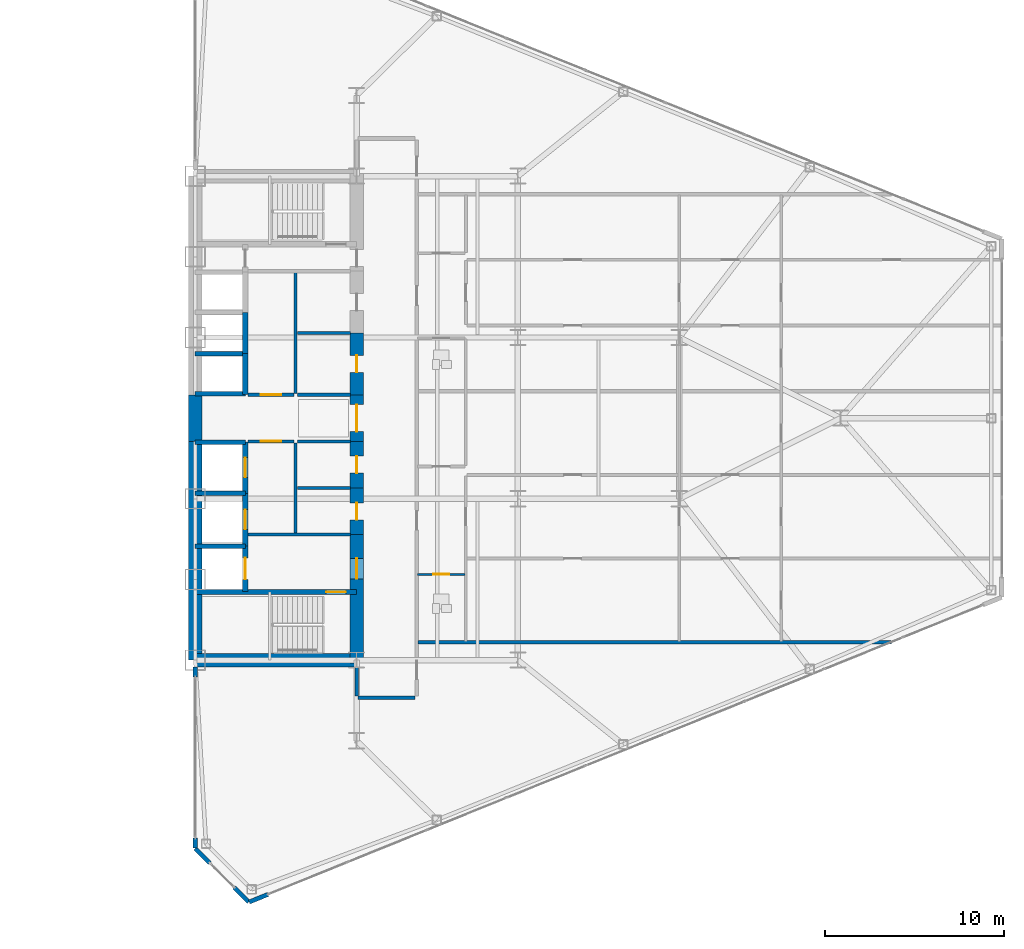
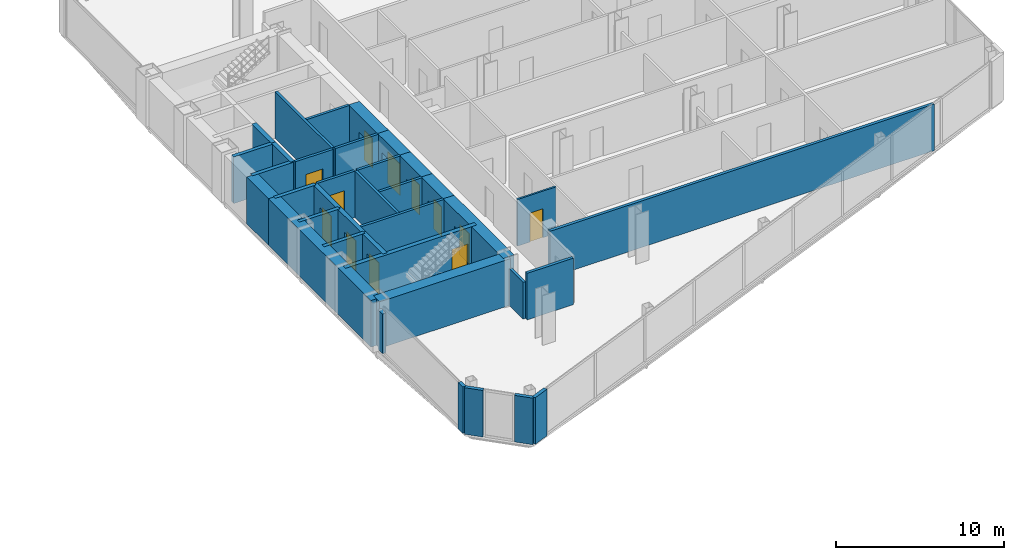
# One storey, part 20 of 25: 37 walls, 12 doors, 12 openings.
"""IFC4 building model written with IfcOpenShell, lengths in metres."""

from ifc_helpers import new_model, si_unit, direction, frame, frame_2d, origin, place, context, subcontext, project, spatial, rectangle, extrude, source, transform, mapped, material, layer, layer_set, type_object, type_shapes, element, fill, save


model = new_model("IFC4")

# Units and contexts
model_context = context("Model", 3, precision=1e-05, world=origin(), true_north=direction((0.0, 1.0)))
body_context = subcontext(model_context, "Body", "Model", "MODEL_VIEW")
ifc_project = project(units=[si_unit("LENGTHUNIT", "METRE"), si_unit("AREAUNIT", "SQUARE_METRE"), si_unit("VOLUMEUNIT", "CUBIC_METRE"), si_unit("PLANEANGLEUNIT", "RADIAN"), si_unit("MASSUNIT", "GRAM", prefix="KILO")], contexts=[model_context])

# Site, building, storey
site_placement = place(None, origin())
site = spatial("IfcSite", under=ifc_project, at=site_placement, CompositionType="ELEMENT")
building_placement = place(site_placement, origin())
building = spatial("IfcBuilding", under=site, at=building_placement, Name="Seokmaru Belvedere", CompositionType="ELEMENT")
storey_placement = place(building_placement, frame((0.0, 0.0, 47.699951171875)))
storey = spatial("IfcBuildingStorey", under=building, at=storey_placement, Name="L12", CompositionType="ELEMENT", Elevation=47.699951171875)

# Walls
ifc_material_1 = material(Name="Fire-Rated Gypsum Shaftwall")
ifc_layer_1 = layer(ifc_material_1, 0.179931640625)
ifc_layer_set_1 = layer_set([ifc_layer_1], Name="Fire-Rated Gypsum Shaftwall")
wall_type_1 = type_object("IfcWallType", Name="Core Service Fire Partition 180", PredefinedType="PARTITIONING", material=ifc_layer_set_1)
wall_1_placement = place(storey_placement, frame((30.449951171875, -6.5, 0.0), z_axis=(0.0, 0.0, 1.0), x_axis=(1.0, 0.0, 0.0)))
element("IfcWall", 1, at=wall_1_placement, inside=storey, type_object=wall_type_1, Name="L12 East Firefighting Lobby Partition", PredefinedType="PARTITIONING", context=body_context, shape_type="SweptSolid", body=[
    extrude(rectangle(XDim=5.699951171875, YDim=0.179931640625, at=frame_2d((2.85009765625, 0.0))), origin(), (0.0, 0.0, 1.0), 3.380126953125),
])
wall_2_placement = place(storey_placement, frame((33.10009765625, -6.419921875, 0.0), z_axis=(0.0, 0.0, 1.0), x_axis=(0.0, 1.0, 0.0)))
element("IfcWall", 2, at=wall_2_placement, inside=storey, type_object=wall_type_1, Name="L12 East South Core Service Back Wall", PredefinedType="PARTITIONING", context=body_context, shape_type="SweptSolid", body=[
    extrude(rectangle(XDim=5.0400390625, YDim=0.179931640625, at=frame_2d((2.52001953125, 0.0))), origin(), (0.0, 0.0, 1.0), 3.380126953125),
])
wall_3_placement = place(storey_placement, frame((33.10009765625, 1.3798828125, 0.0), z_axis=(0.0, 0.0, 1.0), x_axis=(0.0, 1.0, 0.0)))
element("IfcWall", 3, at=wall_3_placement, inside=storey, type_object=wall_type_1, Name="L12 East North Core Service Back Wall", PredefinedType="PARTITIONING", context=body_context, shape_type="SweptSolid", body=[
    extrude(rectangle(XDim=6.740234375, YDim=0.179931640625, at=frame_2d((3.3701171875, 0.0))), origin(), (0.0, 0.0, 1.0), 3.380126953125),
])

# Wall, opening, door
wall_4_placement = place(storey_placement, frame((30.449951171875, -1.300048828125, 0.0), z_axis=(0.0, 0.0, 1.0), x_axis=(1.0, 0.0, 0.0)))
wall_4 = element("IfcWall", 4, at=wall_4_placement, inside=storey, type_object=wall_type_1, Name="L12 East South Lift Lobby Foyer Wall", PredefinedType="PARTITIONING", context=body_context, shape_type="SweptSolid", body=[
    extrude(rectangle(XDim=2.570068359375, YDim=0.179931640625, at=frame_2d((1.28515625, 0.0))), origin(), (0.0, 0.0, 1.0), 3.380126953125),
])
opening_1_placement = place(wall_4_placement, frame((0.7099609375, 0.0, 0.0)))
opening_1 = element("IfcOpeningElement", 5, at=opening_1_placement, cuts=wall_4, Name="Opening D02", PredefinedType="OPENING", context=body_context, shape_type="SweptSolid", body=[
    extrude(rectangle(XDim=1.14990234375, YDim=2.199951171875, at=frame_2d((0.574951171875, 1.10009765625))), frame((0.0, 0.10009765625, 0.0), z_axis=(0.0, -1.0, 0.0), x_axis=(1.0, 0.0, 0.0)), (0.0, 0.0, 1.0), 0.199951171875),
])
ifc_material_2 = material(Name="Fire-Rated Steel Leaf", Category="steel")
door_type_1 = type_object("IfcDoorType", Name="Lobby and Vestibule Fire Door 1150x2200", OperationType="NOTDEFINED", PredefinedType="DOOR", material=ifc_material_2)
shared_shape_1 = source(origin(), body_context, "Body", "SweptSolid", [
    extrude(rectangle(XDim=1.14990234375, YDim=2.199951171875, at=frame_2d((0.574951171875, 1.10009765625))), frame((0.0, 0.02490234375, 0.0), z_axis=(0.0, -1.0, 0.0), x_axis=(1.0, 0.0, 0.0)), (0.0, 0.0, 1.0), 0.050048828125),
])
type_shapes(door_type_1, [shared_shape_1])
door_1_placement = place(opening_1_placement, origin())
door_1 = element("IfcDoor", 6, at=door_1_placement, inside=storey, type_object=door_type_1, Name="L12 East South Core Foyer Door", OperationType="SINGLE_SWING_RIGHT", OverallHeight=2.199951171875, OverallWidth=1.14990234375, PredefinedType="DOOR", context=body_context, shape_type="MappedRepresentation", body=[
    mapped(shared_shape_1, transform((0.0, 0.0, 0.0), scale=1.0)),
])
fill(opening_1, door_1)

wall_5_placement = place(storey_placement, frame((30.449951171875, 1.300048828125, 0.0), z_axis=(0.0, 0.0, 1.0), x_axis=(1.0, 0.0, 0.0)))
wall_5 = element("IfcWall", 7, at=wall_5_placement, inside=storey, type_object=wall_type_1, Name="L12 East North Lift Lobby Foyer Wall", PredefinedType="PARTITIONING", context=body_context, shape_type="SweptSolid", body=[
    extrude(rectangle(XDim=2.570068359375, YDim=0.179931640625, at=frame_2d((1.28515625, 0.0))), origin(), (0.0, 0.0, 1.0), 3.380126953125),
])
opening_2_placement = place(wall_5_placement, frame((0.7099609375, 0.0, 0.0)))
opening_2 = element("IfcOpeningElement", 8, at=opening_2_placement, cuts=wall_5, Name="Opening D02", PredefinedType="OPENING", context=body_context, shape_type="SweptSolid", body=[
    extrude(rectangle(XDim=1.14990234375, YDim=2.199951171875, at=frame_2d((0.574951171875, 1.10009765625))), frame((0.0, 0.10009765625, 0.0), z_axis=(0.0, -1.0, 0.0), x_axis=(1.0, 0.0, 0.0)), (0.0, 0.0, 1.0), 0.199951171875),
])
door_2_placement = place(opening_2_placement, origin())
door_2 = element("IfcDoor", 9, at=door_2_placement, inside=storey, type_object=door_type_1, Name="L12 East North Lift Lobby Door", OperationType="SINGLE_SWING_LEFT", OverallHeight=2.199951171875, OverallWidth=1.14990234375, PredefinedType="DOOR", context=body_context, shape_type="MappedRepresentation", body=[
    mapped(shared_shape_1, transform((0.0, 0.0, 0.0), scale=1.0)),
])
fill(opening_2, door_2)

# Walls
for number, where, z_axis, x_axis, name in (
    (10, (33.199951171875, -1.300048828125, 0.0), (0.0, 0.0, 1.0), (1.0, 0.0, 0.0), "L12 East Foyer Side Wall S"),
    (11, (33.199951171875, 1.300048828125, 0.0), (0.0, 0.0, 1.0), (1.0, 0.0, 0.0), "L12 East Foyer Side Wall N"),
    (12, (33.199951171875, -3.89990234375, 0.0), (0.0, 0.0, 1.0), (1.0, 0.0, 0.0), "L12 East Core Service Partition 1"),
    (13, (33.199951171875, 4.75, 0.0), (0.0, 0.0, 1.0), (1.0, 0.0, 0.0), "L12 East Core Service Partition 2"),
):
    element("IfcWall", number, at=place(storey_placement, frame(where, z_axis=z_axis, x_axis=x_axis)), inside=storey, type_object=wall_type_1, Name=name, PredefinedType="PARTITIONING", context=body_context, shape_type="SweptSolid", body=[
        extrude(rectangle(XDim=2.949951171875, YDim=0.179931640625, at=frame_2d((1.47509765625, 0.0))), origin(), (0.0, 0.0, 1.0), 3.380126953125),
    ])
ifc_material_3 = material(Name="Concrete C50 (50 MPa)", Category="concrete")
ifc_layer_2 = layer(ifc_material_3, 0.25)
ifc_layer_set_2 = layer_set([ifc_layer_2], Name="Concrete C50 (50 MPa)")
wall_type_2 = type_object("IfcWallType", Name="Hoistway Transverse Concrete Divider Wall 250", PredefinedType="SHEAR", material=ifc_layer_set_2)
for number, where, z_axis, x_axis, name in (
    (14, (27.5, -7.14990234375, 0.0), (0.0, 0.0, 1.0), (1.0, 0.0, 0.0), "L12 East Hoistway Divider Core Wall 1"),
    (15, (27.5, -4.199951171875, 0.0), (0.0, 0.0, 1.0), (1.0, 0.0, 0.0), "L12 East Hoistway Divider Core Wall 2"),
    (16, (27.5, -1.35009765625, 0.0), (0.0, 0.0, 1.0), (1.0, 0.0, 0.0), "L12 East Hoistway Divider Core Wall 3"),
    (17, (27.5, 1.35009765625, 0.0), (0.0, 0.0, 1.0), (1.0, 0.0, 0.0), "L12 East Hoistway Divider Core Wall 4"),
    (18, (27.5, 3.60009765625, 0.0), (0.0, 0.0, 1.0), (1.0, 0.0, 0.0), "L12 East Hoistway Divider Core Wall 5"),
):
    element("IfcWall", number, at=place(storey_placement, frame(where, z_axis=z_axis, x_axis=x_axis)), inside=storey, type_object=wall_type_2, Name=name, PredefinedType="SHEAR", context=body_context, shape_type="SweptSolid", body=[
        extrude(rectangle(XDim=2.800048828125, YDim=0.25, at=frame_2d((1.39990234375, 0.0))), origin(), (0.0, 0.0, 1.0), 3.380126953125),
    ])
ifc_layer_3 = layer(ifc_material_1, 0.199951171875)
ifc_layer_set_3 = layer_set([ifc_layer_3], Name="Fire-Rated Gypsum Shaftwall")
wall_type_3 = type_object("IfcWallType", Name="Inter-Tenancy Fire Compartment Partition 200", PredefinedType="PARTITIONING", material=ifc_layer_set_3)
wall_6_placement = place(storey_placement, frame((36.5849609375, -15.60009765625, 0.0), z_axis=(0.0, 0.0, 1.0), x_axis=(1.0, 0.0, 0.0)))
element("IfcWall", 19, at=wall_6_placement, inside=storey, type_object=wall_type_3, Name="L12 Interior Partition 005", PredefinedType="PARTITIONING", context=body_context, shape_type="SweptSolid", body=[
    extrude(rectangle(XDim=3.179931640625, YDim=0.199951171875, at=frame_2d((1.58984375, 0.0))), origin(), (0.0, 0.0, 1.0), 3.380126953125),
])
wall_7_placement = place(storey_placement, frame((39.929931640625, -12.5, 0.0), z_axis=(0.0, 0.0, 1.0), x_axis=(1.0, 0.0, 0.0)))
element("IfcWall", 20, at=wall_7_placement, inside=storey, type_object=wall_type_3, Name="L12 Interior Partition 008", PredefinedType="PARTITIONING", context=body_context, shape_type="SweptSolid", body=[
    extrude(rectangle(XDim=26.406982421875, YDim=0.199951171875, at=frame_2d((13.20361328125, 0.0))), origin(), (0.0, 0.0, 1.0), 3.380126953125),
])
wall_8_placement = place(storey_placement, frame((36.5, -15.514892578125, 0.0), z_axis=(0.0, 0.0, 1.0), x_axis=(0.0, 1.0, 0.0)))
element("IfcWall", 21, at=wall_8_placement, inside=storey, type_object=wall_type_3, Name="L12 Interior Partition 043", PredefinedType="PARTITIONING", context=body_context, shape_type="SweptSolid", body=[
    extrude(rectangle(XDim=1.635009765625, YDim=0.199951171875, at=frame_2d((0.8173828125, 0.0))), origin(), (0.0, 0.0, 1.0), 2.679931640625),
])

# Wall, opening, door
ifc_layer_4 = layer(ifc_material_3, 0.300048828125)
ifc_layer_set_4 = layer_set([ifc_layer_4], Name="Concrete C50 (50 MPa)")
wall_type_4 = type_object("IfcWallType", Name="Internal Core Stair and Hoistway Wall 300", PredefinedType="SHEAR", material=ifc_layer_set_4)
wall_9_placement = place(storey_placement, frame((27.5, -9.699951171875, 0.0), z_axis=(0.0, 0.0, 1.0), x_axis=(1.0, 0.0, 0.0)))
wall_9 = element("IfcWall", 22, at=wall_9_placement, inside=storey, type_object=wall_type_4, Name="L12 East Stair ST-1 Enclosure Wall", PredefinedType="SHEAR", context=body_context, shape_type="SweptSolid", body=[
    extrude(rectangle(XDim=9.0, YDim=0.300048828125, at=frame_2d((4.5, 0.0))), origin(), (0.0, 0.0, 1.0), 3.380126953125),
])
opening_3_placement = place(wall_9_placement, frame((7.300048828125, 0.0, 0.0)))
opening_3 = element("IfcOpeningElement", 23, at=opening_3_placement, cuts=wall_9, Name="Opening D01", PredefinedType="OPENING", context=body_context, shape_type="SweptSolid", body=[
    extrude(rectangle(XDim=1.10009765625, YDim=2.199951171875, at=frame_2d((0.550048828125, 1.10009765625))), frame((0.0, 0.16015625, 0.0), z_axis=(0.0, -1.0, 0.0), x_axis=(1.0, 0.0, 0.0)), (0.0, 0.0, 1.0), 0.320068359375),
])
door_type_2 = type_object("IfcDoorType", Name="Special Escape Stair Smokeproof Fire Door 1100x2200", OperationType="NOTDEFINED", PredefinedType="DOOR", material=ifc_material_2)
shared_shape_2 = source(origin(), body_context, "Body", "SweptSolid", [
    extrude(rectangle(XDim=1.10009765625, YDim=2.199951171875, at=frame_2d((0.550048828125, 1.10009765625))), frame((0.0, 0.02490234375, 0.0), z_axis=(0.0, -1.0, 0.0), x_axis=(1.0, 0.0, 0.0)), (0.0, 0.0, 1.0), 0.050048828125),
])
type_shapes(door_type_2, [shared_shape_2])
door_3_placement = place(opening_3_placement, frame((1.10009765625, 0.0, 0.0), z_axis=(0.0, 0.0, 1.0), x_axis=(-1.0, 0.0, 0.0)))
door_3 = element("IfcDoor", 24, at=door_3_placement, inside=storey, type_object=door_type_2, Name="L12 East Special Escape Stair ST-1 Door", OperationType="SINGLE_SWING_RIGHT", OverallHeight=2.199951171875, OverallWidth=1.10009765625, PredefinedType="DOOR", context=body_context, shape_type="MappedRepresentation", body=[
    mapped(shared_shape_2, transform((0.0, 0.0, 0.0), scale=1.0)),
])
fill(opening_3, door_3)

wall_10_placement = place(storey_placement, frame((30.300048828125, -9.679931640625, 0.0), z_axis=(0.0, 0.0, 1.0), x_axis=(0.0, 1.0, 0.0)))
wall_10 = element("IfcWall", 25, at=wall_10_placement, inside=storey, type_object=wall_type_4, Name="L12 East Firefighting Lift Shaft Front Wall", PredefinedType="SHEAR", context=body_context, shape_type="SweptSolid", body=[
    extrude(rectangle(XDim=2.559814453125, YDim=0.300048828125, at=frame_2d((1.27978515625, 0.0))), origin(), (0.0, 0.0, 1.0), 3.380126953125),
])
opening_4_placement = place(wall_10_placement, frame((0.679931640625, 0.0, 0.0)))
opening_4 = element("IfcOpeningElement", 26, at=opening_4_placement, cuts=wall_10, Name="Opening LD2", PredefinedType="OPENING", context=body_context, shape_type="SweptSolid", body=[
    extrude(rectangle(XDim=1.199951171875, YDim=2.25, at=frame_2d((0.60009765625, 1.125))), frame((0.0, 0.16015625, 0.0), z_axis=(0.0, -1.0, 0.0), x_axis=(1.0, 0.0, 0.0)), (0.0, 0.0, 1.0), 0.320068359375),
])
ifc_material_4 = material(Name="Stainless Steel 316", Category="steel")
door_type_3 = type_object("IfcDoorType", Name="Firefighting Lift Sliding Landing Door 1200x2250", OperationType="DOUBLE_DOOR_SLIDING", PredefinedType="DOOR", material=ifc_material_4)
shared_shape_3 = source(origin(), body_context, "Body", "SweptSolid", [
    extrude(rectangle(XDim=1.199951171875, YDim=2.25, at=frame_2d((0.60009765625, 1.125))), frame((0.0, 0.02490234375, 0.0), z_axis=(0.0, -1.0, 0.0), x_axis=(1.0, 0.0, 0.0)), (0.0, 0.0, 1.0), 0.050048828125),
])
type_shapes(door_type_3, [shared_shape_3])
door_4_placement = place(opening_4_placement, origin())
door_4 = element("IfcDoor", 27, at=door_4_placement, inside=storey, type_object=door_type_3, Name="L12 East Firefighting Lift Landing Door", OperationType="DOUBLE_DOOR_SLIDING", OverallHeight=2.25, OverallWidth=1.199951171875, PredefinedType="DOOR", context=body_context, shape_type="MappedRepresentation", body=[
    mapped(shared_shape_3, transform((0.0, 0.0, 0.0), scale=1.0)),
])
fill(opening_4, door_4)

wall_11_placement = place(storey_placement, frame((30.300048828125, -7.1201171875, 0.0), z_axis=(0.0, 0.0, 1.0), x_axis=(0.0, 1.0, 0.0)))
wall_11 = element("IfcWall", 28, at=wall_11_placement, inside=storey, type_object=wall_type_4, Name="L12 East Low-Rise Lift PL-1 Front Wall", PredefinedType="SHEAR", context=body_context, shape_type="SweptSolid", body=[
    extrude(rectangle(XDim=2.920166015625, YDim=0.300048828125, at=frame_2d((1.4599609375, 0.0))), origin(), (0.0, 0.0, 1.0), 3.380126953125),
])
opening_5_placement = place(wall_11_placement, frame((0.909912109375, 0.0, 0.0)))
opening_5 = element("IfcOpeningElement", 29, at=opening_5_placement, cuts=wall_11, Name="Opening LD1", PredefinedType="OPENING", context=body_context, shape_type="SweptSolid", body=[
    extrude(rectangle(XDim=1.10009765625, YDim=2.199951171875, at=frame_2d((0.550048828125, 1.10009765625))), frame((0.0, 0.16015625, 0.0), z_axis=(0.0, -1.0, 0.0), x_axis=(1.0, 0.0, 0.0)), (0.0, 0.0, 1.0), 0.320068359375),
])
door_type_4 = type_object("IfcDoorType", Name="Passenger Lift Sliding Landing Door 1100x2200", OperationType="DOUBLE_DOOR_SLIDING", PredefinedType="DOOR", material=ifc_material_4)
shared_shape_4 = source(origin(), body_context, "Body", "SweptSolid", [
    extrude(rectangle(XDim=1.10009765625, YDim=2.199951171875, at=frame_2d((0.550048828125, 1.10009765625))), frame((0.0, 0.02490234375, 0.0), z_axis=(0.0, -1.0, 0.0), x_axis=(1.0, 0.0, 0.0)), (0.0, 0.0, 1.0), 0.050048828125),
])
type_shapes(door_type_4, [shared_shape_4])
door_5_placement = place(opening_5_placement, origin())
door_5 = element("IfcDoor", 30, at=door_5_placement, inside=storey, type_object=door_type_4, Name="L12 East Low-Rise Lift PL-1 Landing Door", OperationType="DOUBLE_DOOR_SLIDING", OverallHeight=2.199951171875, OverallWidth=1.10009765625, PredefinedType="DOOR", context=body_context, shape_type="MappedRepresentation", body=[
    mapped(shared_shape_4, transform((0.0, 0.0, 0.0), scale=1.0)),
])
fill(opening_5, door_5)

wall_12_placement = place(storey_placement, frame((30.300048828125, -4.199951171875, 0.0), z_axis=(0.0, 0.0, 1.0), x_axis=(0.0, 1.0, 0.0)))
wall_12 = element("IfcWall", 31, at=wall_12_placement, inside=storey, type_object=wall_type_4, Name="L12 East Low-Rise Lift PL-2 Front Wall", PredefinedType="SHEAR", context=body_context, shape_type="SweptSolid", body=[
    extrude(rectangle(XDim=2.8798828125, YDim=0.300048828125, at=frame_2d((1.43994140625, 0.0))), origin(), (0.0, 0.0, 1.0), 3.380126953125),
])
opening_6_placement = place(wall_12_placement, frame((0.889892578125, 0.0, 0.0)))
opening_6 = element("IfcOpeningElement", 32, at=opening_6_placement, cuts=wall_12, Name="Opening LD1", PredefinedType="OPENING", context=body_context, shape_type="SweptSolid", body=[
    extrude(rectangle(XDim=1.10009765625, YDim=2.199951171875, at=frame_2d((0.550048828125, 1.10009765625))), frame((0.0, 0.16015625, 0.0), z_axis=(0.0, -1.0, 0.0), x_axis=(1.0, 0.0, 0.0)), (0.0, 0.0, 1.0), 0.320068359375),
])
door_6_placement = place(opening_6_placement, origin())
door_6 = element("IfcDoor", 33, at=door_6_placement, inside=storey, type_object=door_type_4, Name="L12 East Low-Rise Lift PL-2 Landing Door", OperationType="DOUBLE_DOOR_SLIDING", OverallHeight=2.199951171875, OverallWidth=1.10009765625, PredefinedType="DOOR", context=body_context, shape_type="MappedRepresentation", body=[
    mapped(shared_shape_4, transform((0.0, 0.0, 0.0), scale=1.0)),
])
fill(opening_6, door_6)

# Walls
wall_13_placement = place(storey_placement, frame((30.300048828125, 1.320068359375, 0.0), z_axis=(0.0, 0.0, 1.0), x_axis=(0.0, 1.0, 0.0)))
element("IfcWall", 34, at=wall_13_placement, inside=storey, type_object=wall_type_4, Name="L12 East North Hoistway Wall PH1", PredefinedType="SHEAR", context=body_context, shape_type="SweptSolid", body=[
    extrude(rectangle(XDim=2.280029296875, YDim=0.300048828125, at=frame_2d((1.14013671875, 0.0))), origin(), (0.0, 0.0, 1.0), 3.380126953125),
])
wall_14_placement = place(storey_placement, frame((30.300048828125, 3.60009765625, 0.0), z_axis=(0.0, 0.0, 1.0), x_axis=(0.0, 1.0, 0.0)))
element("IfcWall", 35, at=wall_14_placement, inside=storey, type_object=wall_type_4, Name="L12 East North Hoistway Wall PH2", PredefinedType="SHEAR", context=body_context, shape_type="SweptSolid", body=[
    extrude(rectangle(XDim=2.2998046875, YDim=0.300048828125, at=frame_2d((1.14990234375, 0.0))), origin(), (0.0, 0.0, 1.0), 3.380126953125),
])
ifc_material_5 = material(Name="Concrete C60 (60 MPa)", Category="concrete")
ifc_layer_5 = layer(ifc_material_5, 0.75)
ifc_layer_set_5 = layer_set([ifc_layer_5], Name="Concrete C60 (60 MPa)")
wall_type_5 = type_object("IfcWallType", Name="Lower Tower Reinforced Concrete Core Wall 750", PredefinedType="SHEAR", material=ifc_layer_set_5)
wall_15_placement = place(storey_placement, frame((27.5, -13.5, 0.0), z_axis=(0.0, 0.0, 1.0), x_axis=(0.0, 1.0, 0.0)))
element("IfcWall", 36, at=wall_15_placement, inside=storey, type_object=wall_type_5, Name="L12 East Portal Spine Core Wall South", PredefinedType="SHEAR", context=body_context, shape_type="SweptSolid", body=[
    extrude(rectangle(XDim=12.199951171875, YDim=0.75, at=frame_2d((6.10009765625, 0.0))), origin(), (0.0, 0.0, 1.0), 3.380126953125),
])
wall_16_placement = place(storey_placement, frame((27.5, -1.300048828125, 0.0), z_axis=(0.0, 0.0, 1.0), x_axis=(0.0, 1.0, 0.0)))
element("IfcWall", 37, at=wall_16_placement, inside=storey, type_object=wall_type_5, Name="L12 East Portal Spine Core Wall Center", PredefinedType="SHEAR", context=body_context, shape_type="SweptSolid", body=[
    extrude(rectangle(XDim=2.60009765625, YDim=0.75, at=frame_2d((1.300048828125, 0.0))), origin(), (0.0, 0.0, 1.0), 3.380126953125),
])
wall_17_placement = place(storey_placement, frame((27.5, -13.5, 0.0), z_axis=(0.0, 0.0, 1.0), x_axis=(1.0, 0.0, 0.0)))
element("IfcWall", 38, at=wall_17_placement, inside=storey, type_object=wall_type_5, Name="L12 East South Core Wall", PredefinedType="SHEAR", context=body_context, shape_type="SweptSolid", body=[
    extrude(rectangle(XDim=9.0, YDim=0.75, at=frame_2d((4.5, 0.0))), origin(), (0.0, 0.0, 1.0), 3.380126953125),
])

# Wall, opening, door
wall_18_placement = place(storey_placement, frame((36.5, -13.64990234375, 0.0), z_axis=(0.0, 0.0, 1.0), x_axis=(0.0, 1.0, 0.0)))
wall_18 = element("IfcWall", 39, at=wall_18_placement, inside=storey, type_object=wall_type_5, Name="L12 East West Core Wall FF", PredefinedType="SHEAR", context=body_context, shape_type="SweptSolid", body=[
    extrude(rectangle(XDim=7.14990234375, YDim=0.75, at=frame_2d((3.574951171875, 0.0))), origin(), (0.0, 0.0, 1.0), 3.380126953125),
])
opening_7_placement = place(wall_18_placement, frame((4.675048828125, 0.0, 0.0)))
opening_7 = element("IfcOpeningElement", 40, at=opening_7_placement, cuts=wall_18, Name="Opening D02", PredefinedType="OPENING", context=body_context, shape_type="SweptSolid", body=[
    extrude(rectangle(XDim=1.14990234375, YDim=2.199951171875, at=frame_2d((0.574951171875, 1.10009765625))), frame((0.0, 0.385009765625, 0.0), z_axis=(0.0, -1.0, 0.0), x_axis=(1.0, 0.0, 0.0)), (0.0, 0.0, 1.0), 0.77001953125),
])
door_7_placement = place(opening_7_placement, origin())
door_7 = element("IfcDoor", 41, at=door_7_placement, inside=storey, type_object=door_type_1, Name="L12 East Firefighting Lobby Door", OperationType="SINGLE_SWING_RIGHT", OverallHeight=2.199951171875, OverallWidth=1.14990234375, PredefinedType="DOOR", context=body_context, shape_type="MappedRepresentation", body=[
    mapped(shared_shape_1, transform((0.0, 0.0, 0.0), scale=1.0)),
])
fill(opening_7, door_7)

wall_19_placement = place(storey_placement, frame((36.5, -1.300048828125, 0.0), z_axis=(0.0, 0.0, 1.0), x_axis=(0.0, 1.0, 0.0)))
wall_19 = element("IfcWall", 42, at=wall_19_placement, inside=storey, type_object=wall_type_5, Name="L12 East West Core Wall FOY", PredefinedType="SHEAR", context=body_context, shape_type="SweptSolid", body=[
    extrude(rectangle(XDim=2.60009765625, YDim=0.75, at=frame_2d((1.300048828125, 0.0))), origin(), (0.0, 0.0, 1.0), 3.380126953125),
])
opening_8_placement = place(wall_19_placement, frame((0.550048828125, 0.0, 0.0)))
opening_8 = element("IfcOpeningElement", 43, at=opening_8_placement, cuts=wall_19, Name="Opening D08", PredefinedType="OPENING", context=body_context, shape_type="SweptSolid", body=[
    extrude(rectangle(XDim=1.5, YDim=2.300048828125, at=frame_2d((0.75, 1.14990234375))), frame((0.0, 0.385009765625, 0.0), z_axis=(0.0, -1.0, 0.0), x_axis=(1.0, 0.0, 0.0)), (0.0, 0.0, 1.0), 0.77001953125),
])
door_type_5 = type_object("IfcDoorType", Name="Cross-Corridor Compartment Double Fire Door 1500x2300", OperationType="DOUBLE_SWING_LEFT", PredefinedType="DOOR", material=ifc_material_2)
shared_shape_5 = source(origin(), body_context, "Body", "SweptSolid", [
    extrude(rectangle(XDim=1.5, YDim=2.300048828125, at=frame_2d((0.75, 1.14990234375))), frame((0.0, 0.02490234375, 0.0), z_axis=(0.0, -1.0, 0.0), x_axis=(1.0, 0.0, 0.0)), (0.0, 0.0, 1.0), 0.050048828125),
])
type_shapes(door_type_5, [shared_shape_5])
door_8_placement = place(opening_8_placement, origin())
door_8 = element("IfcDoor", 44, at=door_8_placement, inside=storey, type_object=door_type_5, Name="L12 East Core Foyer Compartment Door", OperationType="DOUBLE_SWING_LEFT", OverallHeight=2.300048828125, OverallWidth=1.5, PredefinedType="DOOR", context=body_context, shape_type="MappedRepresentation", body=[
    mapped(shared_shape_5, transform((0.0, 0.0, 0.0), scale=1.0)),
])
fill(opening_8, door_8)

wall_20_placement = place(storey_placement, frame((36.5, -6.5, 0.0), z_axis=(0.0, 0.0, 1.0), x_axis=(0.0, 1.0, 0.0)))
wall_20 = element("IfcWall", 45, at=wall_20_placement, inside=storey, type_object=wall_type_5, Name="L12 East West Core Wall CS1", PredefinedType="SHEAR", context=body_context, shape_type="SweptSolid", body=[
    extrude(rectangle(XDim=2.60009765625, YDim=0.75, at=frame_2d((1.300048828125, 0.0))), origin(), (0.0, 0.0, 1.0), 3.380126953125),
])
opening_9_placement = place(wall_20_placement, frame((0.824951171875, 0.0, 0.0)))
opening_9 = element("IfcOpeningElement", 46, at=opening_9_placement, cuts=wall_20, Name="Opening D04", PredefinedType="OPENING", context=body_context, shape_type="SweptSolid", body=[
    extrude(rectangle(XDim=0.949951171875, YDim=2.14990234375, at=frame_2d((0.47509765625, 1.074951171875))), frame((0.0, 0.385009765625, 0.0), z_axis=(0.0, -1.0, 0.0), x_axis=(1.0, 0.0, 0.0)), (0.0, 0.0, 1.0), 0.77001953125),
])
door_type_6 = type_object("IfcDoorType", Name="Core Service Room Fire Door 950x2150", OperationType="NOTDEFINED", PredefinedType="DOOR", material=ifc_material_2)
shared_shape_6 = source(origin(), body_context, "Body", "SweptSolid", [
    extrude(rectangle(XDim=0.949951171875, YDim=2.14990234375, at=frame_2d((0.47509765625, 1.074951171875))), frame((0.0, 0.02490234375, 0.0), z_axis=(0.0, -1.0, 0.0), x_axis=(1.0, 0.0, 0.0)), (0.0, 0.0, 1.0), 0.050048828125),
])
type_shapes(door_type_6, [shared_shape_6])
door_9_placement = place(opening_9_placement, origin())
door_9 = element("IfcDoor", 47, at=door_9_placement, inside=storey, type_object=door_type_6, Name="L12 East Core Service Room Door 1", OperationType="SINGLE_SWING_RIGHT", OverallHeight=2.14990234375, OverallWidth=0.949951171875, PredefinedType="DOOR", context=body_context, shape_type="MappedRepresentation", body=[
    mapped(shared_shape_6, transform((0.0, 0.0, 0.0), scale=1.0)),
])
fill(opening_9, door_9)

wall_21_placement = place(storey_placement, frame((36.5, -3.89990234375, 0.0), z_axis=(0.0, 0.0, 1.0), x_axis=(0.0, 1.0, 0.0)))
wall_21 = element("IfcWall", 48, at=wall_21_placement, inside=storey, type_object=wall_type_5, Name="L12 East West Core Wall CS2", PredefinedType="SHEAR", context=body_context, shape_type="SweptSolid", body=[
    extrude(rectangle(XDim=2.599853515625, YDim=0.75, at=frame_2d((1.2998046875, 0.0))), origin(), (0.0, 0.0, 1.0), 3.380126953125),
])
opening_10_placement = place(wall_21_placement, frame((0.824951171875, 0.0, 0.0)))
opening_10 = element("IfcOpeningElement", 49, at=opening_10_placement, cuts=wall_21, Name="Opening D04", PredefinedType="OPENING", context=body_context, shape_type="SweptSolid", body=[
    extrude(rectangle(XDim=0.949951171875, YDim=2.14990234375, at=frame_2d((0.47509765625, 1.074951171875))), frame((0.0, 0.385009765625, 0.0), z_axis=(0.0, -1.0, 0.0), x_axis=(1.0, 0.0, 0.0)), (0.0, 0.0, 1.0), 0.77001953125),
])
door_10_placement = place(opening_10_placement, origin())
door_10 = element("IfcDoor", 50, at=door_10_placement, inside=storey, type_object=door_type_6, Name="L12 East Core Service Room Door 2", OperationType="SINGLE_SWING_LEFT", OverallHeight=2.14990234375, OverallWidth=0.949951171875, PredefinedType="DOOR", context=body_context, shape_type="MappedRepresentation", body=[
    mapped(shared_shape_6, transform((0.0, 0.0, 0.0), scale=1.0)),
])
fill(opening_10, door_10)

wall_22_placement = place(storey_placement, frame((36.5, 1.300048828125, 0.0), z_axis=(0.0, 0.0, 1.0), x_axis=(0.0, 1.0, 0.0)))
wall_22 = element("IfcWall", 51, at=wall_22_placement, inside=storey, type_object=wall_type_5, Name="L12 East West Core Wall CS3", PredefinedType="SHEAR", context=body_context, shape_type="SweptSolid", body=[
    extrude(rectangle(XDim=3.449951171875, YDim=0.75, at=frame_2d((1.72509765625, 0.0))), origin(), (0.0, 0.0, 1.0), 3.380126953125),
])
opening_11_placement = place(wall_22_placement, frame((1.25, 0.0, 0.0)))
opening_11 = element("IfcOpeningElement", 52, at=opening_11_placement, cuts=wall_22, Name="Opening D04", PredefinedType="OPENING", context=body_context, shape_type="SweptSolid", body=[
    extrude(rectangle(XDim=0.949951171875, YDim=2.14990234375, at=frame_2d((0.47509765625, 1.074951171875))), frame((0.0, 0.385009765625, 0.0), z_axis=(0.0, -1.0, 0.0), x_axis=(1.0, 0.0, 0.0)), (0.0, 0.0, 1.0), 0.77001953125),
])
door_11_placement = place(opening_11_placement, origin())
door_11 = element("IfcDoor", 53, at=door_11_placement, inside=storey, type_object=door_type_6, Name="L12 East Core Service Room Door 3", OperationType="SINGLE_SWING_RIGHT", OverallHeight=2.14990234375, OverallWidth=0.949951171875, PredefinedType="DOOR", context=body_context, shape_type="MappedRepresentation", body=[
    mapped(shared_shape_6, transform((0.0, 0.0, 0.0), scale=1.0)),
])
fill(opening_11, door_11)

ifc_layer_6 = layer(ifc_material_1, 0.1298828125)
ifc_layer_set_6 = layer_set([ifc_layer_6], Name="Fire-Rated Gypsum Shaftwall")
wall_type_6 = type_object("IfcWallType", Name="Moisture-Resistant Fire-Rated Bathroom Partition 130", PredefinedType="PARTITIONING", material=ifc_layer_set_6)
wall_23_placement = place(storey_placement, frame((39.89990234375, -8.719970703125, 0.0), z_axis=(0.0, 0.0, 1.0), x_axis=(1.0, 0.0, 0.0)))
wall_23 = element("IfcWall", 54, at=wall_23_placement, inside=storey, type_object=wall_type_6, Name="L12 Interior Partition 010", PredefinedType="PARTITIONING", context=body_context, shape_type="SweptSolid", body=[
    extrude(rectangle(XDim=2.650146484375, YDim=0.1298828125, at=frame_2d((1.3251953125, 0.0))), origin(), (0.0, 0.0, 1.0), 3.380126953125),
])
opening_12_placement = place(wall_23_placement, frame((0.885009765625, 0.0, 0.0)))
opening_12 = element("IfcOpeningElement", 55, at=opening_12_placement, cuts=wall_23, Name="Opening D06", PredefinedType="OPENING", context=body_context, shape_type="SweptSolid", body=[
    extrude(rectangle(XDim=0.8798828125, YDim=2.10009765625, at=frame_2d((0.43994140625, 1.050048828125))), frame((0.0, 0.074951171875, 0.0), z_axis=(0.0, -1.0, 0.0), x_axis=(1.0, 0.0, 0.0)), (0.0, 0.0, 1.0), 0.14990234375),
])
ifc_material_6 = material(Name="Engineered White Oak Timber", Category="wood")
door_type_7 = type_object("IfcDoorType", Name="Bathroom and Restroom Fire-Rated Door 880x2100", OperationType="NOTDEFINED", PredefinedType="DOOR", material=ifc_material_6)
shared_shape_7 = source(origin(), body_context, "Body", "SweptSolid", [
    extrude(rectangle(XDim=0.8798828125, YDim=2.10009765625, at=frame_2d((0.43994140625, 1.050048828125))), frame((0.0, 0.02490234375, 0.0), z_axis=(0.0, -1.0, 0.0), x_axis=(1.0, 0.0, 0.0)), (0.0, 0.0, 1.0), 0.050048828125),
])
type_shapes(door_type_7, [shared_shape_7])
door_12_placement = place(opening_12_placement, origin())
door_12 = element("IfcDoor", 56, at=door_12_placement, inside=storey, type_object=door_type_7, Name="L12 Interior Door 039", OperationType="SINGLE_SWING_RIGHT", OverallHeight=2.10009765625, OverallWidth=0.8798828125, PredefinedType="DOOR", context=body_context, shape_type="MappedRepresentation", body=[
    mapped(shared_shape_7, transform((0.0, 0.0, 0.0), scale=1.0)),
])
fill(opening_12, door_12)

# Walls
ifc_material_7 = material(Name="Anodised Bronze Aluminium", Category="aluminium")
ifc_layer_7 = layer(ifc_material_7, 0.239990234375)
ifc_layer_set_7 = layer_set([ifc_layer_7], Name="Anodised Bronze Aluminium")
wall_type_7 = type_object("IfcWallType", Name="Tower Corner Spandrel Closure Wall 240", PredefinedType="SOLIDWALL", material=ifc_layer_set_7)
wall_24_placement = place(storey_placement, frame((30.50927734375, -26.99609375, 0.0), z_axis=(0.0, 0.0, 1.0), x_axis=(0.927007103665, 0.375043770452, 0.0)))
element("IfcWall", 57, at=wall_24_placement, inside=storey, type_object=wall_type_7, Name="L12 E Corner Closure Pier 1A", PredefinedType="SOLIDWALL", context=body_context, shape_type="SweptSolid", body=[
    extrude(rectangle(XDim=1.139892578125, YDim=0.239990234375, at=frame_2d((0.56982421875, 0.0))), origin(), (0.0, 0.0, 1.0), 3.380126953125),
])
wall_25_placement = place(storey_placement, frame((27.5, -23.97998046875, 0.0), z_axis=(0.0, 0.0, 1.0), x_axis=(0.0, 1.0, 0.0)))
element("IfcWall", 58, at=wall_25_placement, inside=storey, type_object=wall_type_7, Name="L12 E Spine Closure Pier 1A", PredefinedType="SOLIDWALL", context=body_context, shape_type="SweptSolid", body=[
    extrude(rectangle(XDim=0.550048828125, YDim=0.239990234375, at=frame_2d((0.27490234375, 0.0))), origin(), (0.0, 0.0, 1.0), 3.380126953125),
])
wall_26_placement = place(storey_placement, frame((27.5, -14.429931640625, 0.0), z_axis=(0.0, 0.0, 1.0), x_axis=(0.0, 1.0, 0.0)))
element("IfcWall", 59, at=wall_26_placement, inside=storey, type_object=wall_type_7, Name="L12 E Spine Closure Pier 1B", PredefinedType="SOLIDWALL", context=body_context, shape_type="SweptSolid", body=[
    extrude(rectangle(XDim=0.550048828125, YDim=0.239990234375, at=frame_2d((0.27490234375, 0.0))), origin(), (0.0, 0.0, 1.0), 2.880126953125),
])
for number, where, z_axis, x_axis, name in (
    (60, (27.507080078125, -24.007080078125, 0.0), (0.0, 0.0, 1.0), (0.707106781187, -0.707106781187, 0.0), "L12 E Corner Closure Pier 6A"),
    (61, (29.686767578125, -26.186767578125, 0.0), (0.0, 0.0, 1.0), (0.707106781187, -0.707106781187, 0.0), "L12 E Corner Closure Pier 6B"),
):
    element("IfcWall", number, at=place(storey_placement, frame(where, z_axis=z_axis, x_axis=x_axis)), inside=storey, type_object=wall_type_7, Name=name, PredefinedType="SOLIDWALL", context=body_context, shape_type="SweptSolid", body=[
        extrude(rectangle(XDim=1.14013671875, YDim=0.239990234375, at=frame_2d((0.570068359375, 0.0))), origin(), (0.0, 0.0, 1.0), 3.380126953125),
    ])

save(model, "model.ifc")
